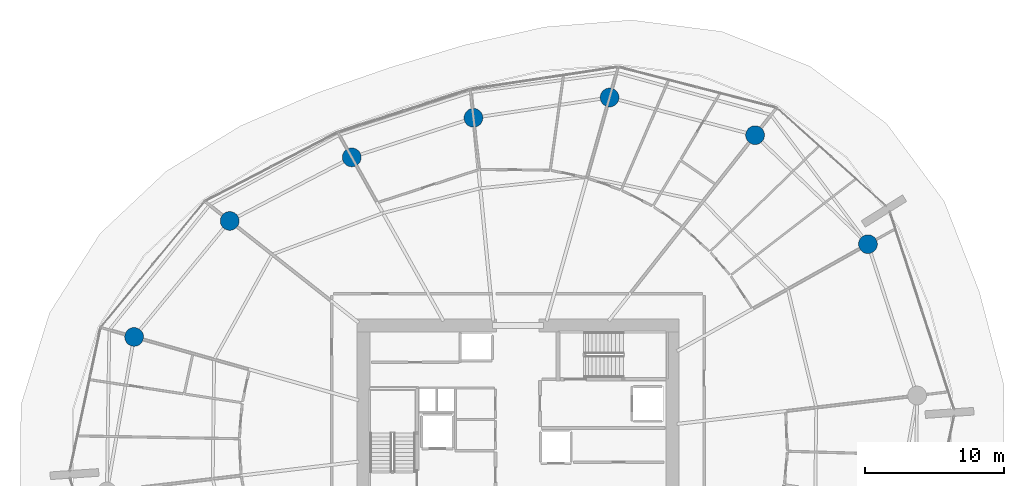
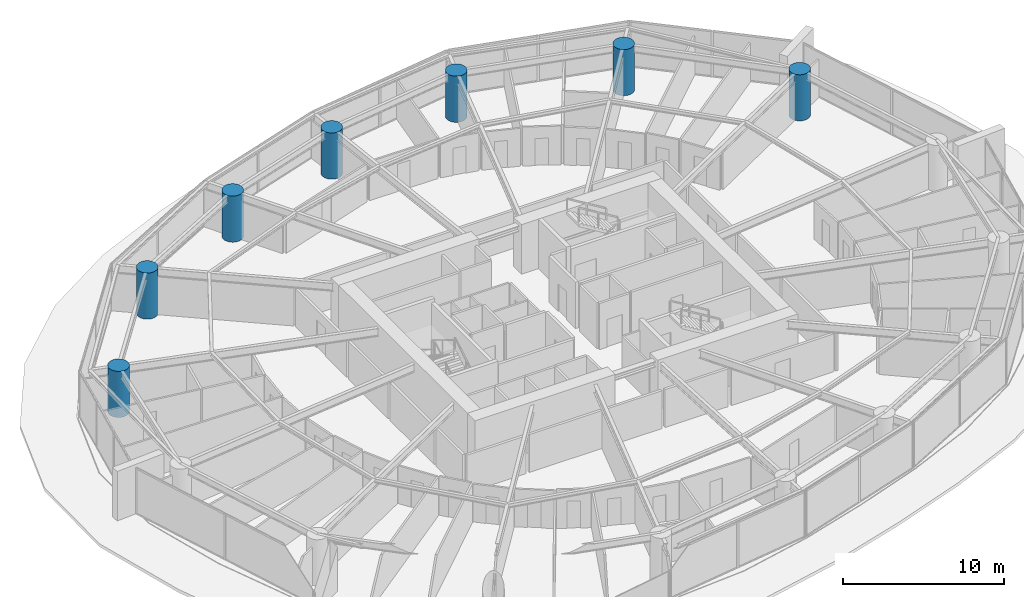
# One storey, part 4 of 22: 7 columns.
"""IFC4 building model written with IfcOpenShell, lengths in metres."""

from ifc_helpers import new_model, si_unit, direction, frame, origin, origin_2d, place, context, subcontext, project, spatial, circle, extrude, material, material_profile, profile_set, type_object, element, save


model = new_model("IFC4")

# Units and contexts
model_context = context("Model", 3, precision=1e-05, world=origin(), true_north=direction((0.0, 1.0)))
body_context = subcontext(model_context, "Body", "Model", "MODEL_VIEW")
ifc_project = project(units=[si_unit("LENGTHUNIT", "METRE"), si_unit("AREAUNIT", "SQUARE_METRE"), si_unit("VOLUMEUNIT", "CUBIC_METRE"), si_unit("PLANEANGLEUNIT", "RADIAN"), si_unit("MASSUNIT", "GRAM", prefix="KILO")], contexts=[model_context])

# Site, building, storey
site_placement = place(None, origin())
site = spatial("IfcSite", under=ifc_project, at=site_placement, CompositionType="ELEMENT")
building_placement = place(site_placement, origin())
building = spatial("IfcBuilding", under=site, at=building_placement, Name="Kazma Halo Residences", CompositionType="ELEMENT")
storey_placement = place(building_placement, frame((0.0, 0.0, 26.39990234375)))
storey = spatial("IfcBuildingStorey", under=building, at=storey_placement, Name="L05", CompositionType="ELEMENT", Elevation=26.39990234375)

# Columns
ifc_material = material(Name="Concrete C80/95", Category="concrete")
ifc_material_profile = material_profile(ifc_material, circle(Radius=0.675048828125, at=origin_2d()), Name="CIRC1350")
ifc_profile_set = profile_set([ifc_material_profile], Name="Concrete C80/95")
column_type = type_object("IfcColumnType", Name="COL-PERIM-1350", PredefinedType="COLUMN", material=ifc_profile_set)
for number, where, z_axis, x_axis, name in (
    (1, (73.56494140625, 56.317138671875, 0.0), (0.0, 0.0, 1.0), (1.0, 0.0, 0.0), "L05 perimeter ring column P01"),
    (2, (65.458251953125, 64.145751953125, 0.0), (0.0, 0.0, 1.0), (1.0, 0.0, 0.0), "L05 perimeter ring column P02"),
    (3, (55.00830078125, 66.849365234375, 0.0), (0.0, 0.0, 1.0), (1.0, 0.0, 0.0), "L05 perimeter ring column P03"),
    (4, (45.231689453125, 65.389404296875, 0.0), (0.0, 0.0, 1.0), (1.0, 0.0, 0.0), "L05 perimeter ring column P04"),
    (5, (36.49169921875, 62.549560546875, 0.0), (0.0, 0.0, 1.0), (1.0, 0.0, 0.0), "L05 perimeter ring column P05"),
    (6, (27.72412109375, 57.984130859375, 0.0), (0.0, 0.0, 1.0), (1.0, 0.0, 0.0), "L05 perimeter ring column P06"),
    (7, (20.859130859375, 49.654541015625, 0.0), (0.0, 0.0, 1.0), (1.0, 0.0, 0.0), "L05 perimeter ring column P07"),
):
    element("IfcColumn", number, at=place(storey_placement, frame(where, z_axis=z_axis, x_axis=x_axis)), inside=storey, type_object=column_type, Name=name, PredefinedType="COLUMN", context=body_context, shape_type="SweptSolid", body=[
        extrude(circle(Radius=0.675048828125, at=origin_2d()), origin(), (0.0, 0.0, 1.0), 3.5),
    ])

save(model, "model.ifc")
